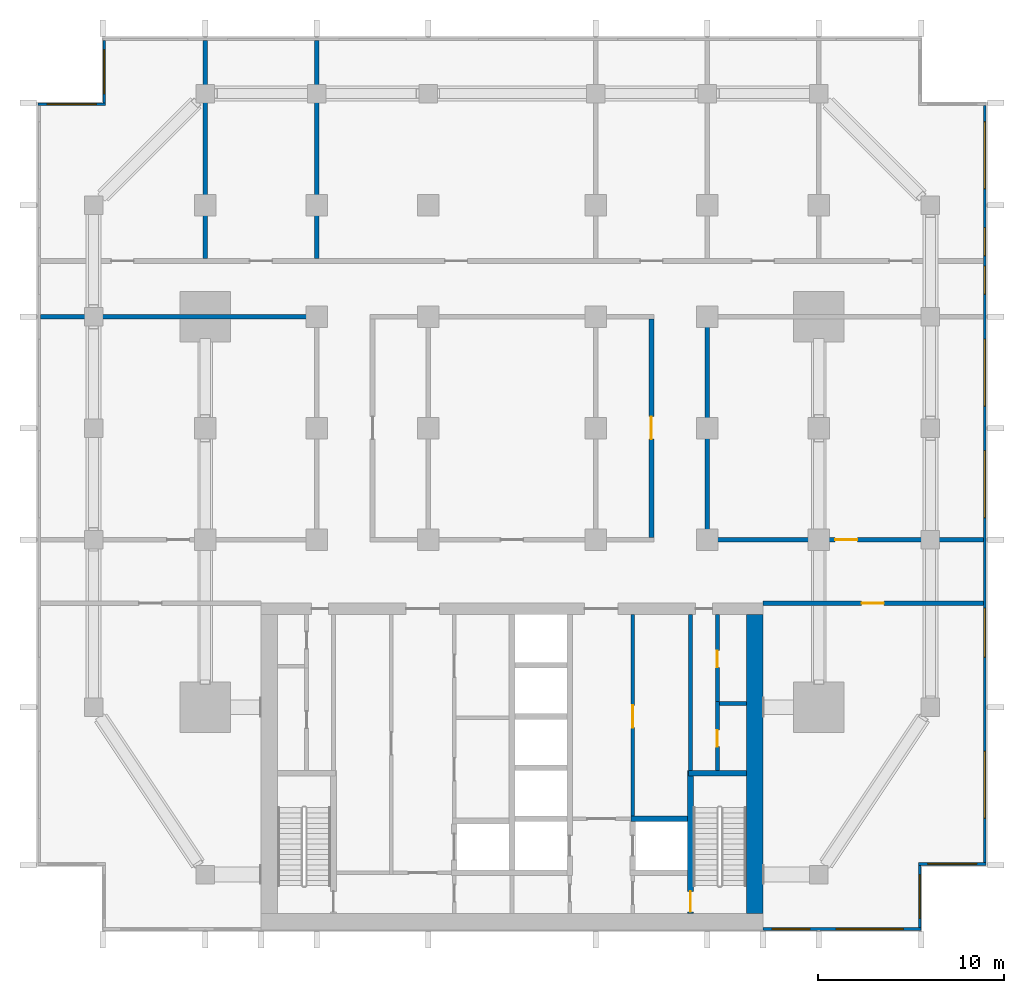
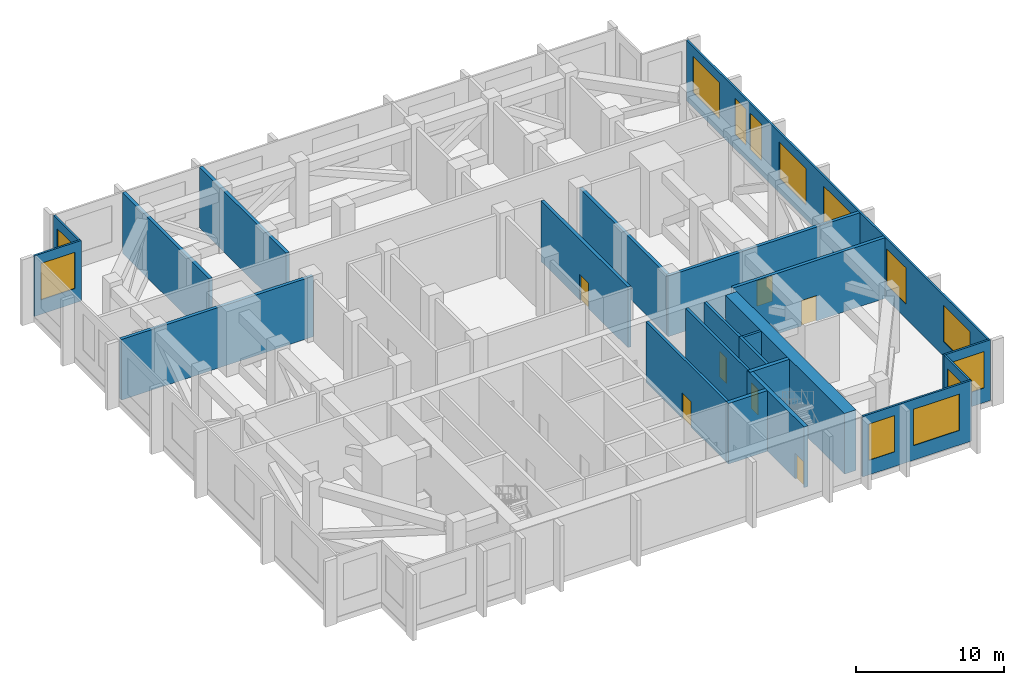
# One storey, part 4 of 12: 22 walls, 13 windows, 7 doors, 20 openings.
"""IFC4 building model written with IfcOpenShell, lengths in metres."""

from ifc_helpers import new_model, si_unit, direction, frame, frame_2d, origin, place, context, subcontext, project, spatial, rectangle, extrude, material, layer, layer_set, type_object, element, fill, save


model = new_model("IFC4")

# Units and contexts
model_context = context("Model", 3, precision=1e-05, world=origin(), true_north=direction((0.0, 1.0)))
body_context = subcontext(model_context, "Body", "Model", "MODEL_VIEW")
ifc_project = project(units=[si_unit("LENGTHUNIT", "METRE"), si_unit("AREAUNIT", "SQUARE_METRE"), si_unit("VOLUMEUNIT", "CUBIC_METRE"), si_unit("PLANEANGLEUNIT", "RADIAN"), si_unit("MASSUNIT", "GRAM", prefix="KILO")], contexts=[model_context])

# Site, building, storey
site_placement = place(None, origin())
site = spatial("IfcSite", under=ifc_project, at=site_placement, CompositionType="ELEMENT")
building_placement = place(site_placement, origin())
building = spatial("IfcBuilding", under=site, at=building_placement, Name="Finial Court Residences", CompositionType="ELEMENT")
storey_placement = place(building_placement, frame((0.0, 0.0, 143.89990234375)))
storey = spatial("IfcBuildingStorey", under=building, at=storey_placement, Name="L35", CompositionType="ELEMENT", Elevation=143.89990234375)

# Walls
ifc_material_1 = material(Name="Concrete C70/85", Category="concrete")
ifc_layer_1 = layer(ifc_material_1, 0.89990234375)
ifc_layer_set_1 = layer_set([ifc_layer_1], Name="Core outer wall 900 Concrete C70/85")
wall_type_1 = type_object("IfcWallType", Name="Core outer wall 900 Concrete C70/85", PredefinedType="SHEAR", material=ifc_layer_set_1)
wall_1_placement = place(storey_placement, frame((13.050048828125, -24.60009765625, 0.0), z_axis=(0.0, 0.0, 1.0), x_axis=(0.0, 1.0, 0.0)))
element("IfcWall", 1, at=wall_1_placement, inside=storey, type_object=wall_type_1, Name="Core outer wall L35-04", PredefinedType="SHEAR", context=body_context, shape_type="SweptSolid", body=[
    extrude(rectangle(XDim=16.10009765625, YDim=0.89990234375, at=frame_2d((8.050048828125, 0.0))), origin(), (0.0, 0.0, 1.0), 5.0),
])
ifc_layer_2 = layer(ifc_material_1, 0.300048828125)
ifc_layer_set_2 = layer_set([ifc_layer_2], Name="Lift shaft and stair wall 300 Concrete C70/85")
wall_type_2 = type_object("IfcWallType", Name="Lift shaft and stair wall 300 Concrete C70/85", PredefinedType="SHEAR", material=ifc_layer_set_2)
wall_2_placement = place(storey_placement, frame((6.39990234375, -19.5, 0.0), z_axis=(0.0, 0.0, 1.0), x_axis=(1.0, 0.0, 0.0)))
element("IfcWall", 2, at=wall_2_placement, inside=storey, type_object=wall_type_2, Name="Core wall L35-08", PredefinedType="SHEAR", context=body_context, shape_type="SweptSolid", body=[
    extrude(rectangle(XDim=3.050048828125, YDim=0.300048828125, at=frame_2d((1.52490234375, 0.0))), origin(), (0.0, 0.0, 1.0), 5.0),
])
wall_3_placement = place(storey_placement, frame((9.5, -17.050048828125, 0.0), z_axis=(0.0, 0.0, 1.0), x_axis=(1.0, 0.0, 0.0)))
element("IfcWall", 3, at=wall_3_placement, inside=storey, type_object=wall_type_2, Name="Core wall L35-10", PredefinedType="SHEAR", context=body_context, shape_type="SweptSolid", body=[
    extrude(rectangle(XDim=3.10009765625, YDim=0.300048828125, at=frame_2d((1.550048828125, 0.0))), origin(), (0.0, 0.0, 1.0), 5.0),
])

# Wall, opening, door
wall_4_placement = place(storey_placement, frame((9.60009765625, -16.89990234375, 0.0), z_axis=(0.0, 0.0, 1.0), x_axis=(0.0, -1.0, 0.0)))
wall_4 = element("IfcWall", 4, at=wall_4_placement, inside=storey, type_object=wall_type_2, Name="Core wall L35-32", PredefinedType="SHEAR", context=body_context, shape_type="SweptSolid", body=[
    extrude(rectangle(XDim=7.7001953125, YDim=0.300048828125, at=frame_2d((3.85009765625, 0.0))), origin(), (0.0, 0.0, 1.0), 5.0),
])
opening_1_placement = place(wall_4_placement, frame((6.5, 0.0, 0.0)))
opening_1 = element("IfcOpeningElement", 5, at=opening_1_placement, cuts=wall_4, Name="Opening L35-C19", PredefinedType="OPENING", context=body_context, shape_type="SweptSolid", body=[
    extrude(rectangle(XDim=1.10009765625, YDim=2.10009765625, at=frame_2d((0.550048828125, 1.050048828125))), frame((0.0, 0.159912109375, 0.0), z_axis=(0.0, -1.0, 0.0), x_axis=(1.0, 0.0, 0.0)), (0.0, 0.0, 1.0), 0.320068359375),
])
ifc_material_2 = material(Name="Steel fire door", Category="steel")
door_type_1 = type_object("IfcDoorType", Name="Stair door 1100 x 2100 EI 90", OperationType="NOTDEFINED", PredefinedType="DOOR", material=ifc_material_2)
door_1_placement = place(opening_1_placement, origin())
door_1 = element("IfcDoor", 6, at=door_1_placement, inside=storey, type_object=door_type_1, Name="Stair door L35-C19", OperationType="SINGLE_SWING_RIGHT", OverallHeight=2.10009765625, OverallWidth=1.10009765625, PredefinedType="DOOR", context=body_context, shape_type="SweptSolid", body=[
    extrude(rectangle(XDim=1.10009765625, YDim=2.10009765625, at=frame_2d((0.550048828125, 1.050048828125))), frame((0.0, 0.02490234375, 0.0), z_axis=(0.0, -1.0, 0.0), x_axis=(1.0, 0.0, 0.0)), (0.0, 0.0, 1.0), 0.050048828125),
])
fill(opening_1, door_1)

ifc_material_3 = material(Name="Fire-rated board")
ifc_layer_3 = layer(ifc_material_3, 0.050048828125)
ifc_material_4 = material(Name="Mineral wool in double frame")
ifc_layer_4 = layer(ifc_material_4, 0.14990234375)
ifc_layer_5 = layer(ifc_material_3, 0.050048828125)
ifc_layer_set_3 = layer_set([ifc_layer_3, ifc_layer_4, ifc_layer_5], Name="Plant room wall 250, 2 hour")
wall_type_3 = type_object("IfcWallType", Name="Plant room wall 250, 2 hour", PredefinedType="PARTITIONING", material=ifc_layer_set_3)
wall_5_placement = place(storey_placement, frame((13.5, -7.89990234375, 0.0), z_axis=(0.0, 0.0, 1.0), x_axis=(1.0, 0.0, 0.0)))
wall_5 = element("IfcWall", 7, at=wall_5_placement, inside=storey, type_object=wall_type_3, Name="Partition L35-001", PredefinedType="PARTITIONING", context=body_context, shape_type="SweptSolid", body=[
    extrude(rectangle(XDim=11.85009765625, YDim=0.25, at=frame_2d((5.925048828125, 0.0))), origin(), (0.0, 0.0, 1.0), 5.0),
])
opening_2_placement = place(wall_5_placement, frame((5.300048828125, 0.0, 0.0)))
opening_2 = element("IfcOpeningElement", 8, at=opening_2_placement, cuts=wall_5, Name="Opening L35-D002", PredefinedType="OPENING", context=body_context, shape_type="SweptSolid", body=[
    extrude(rectangle(XDim=1.199951171875, YDim=2.10009765625, at=frame_2d((0.60009765625, 1.050048828125))), frame((0.0, 0.135009765625, 0.0), z_axis=(0.0, -1.0, 0.0), x_axis=(1.0, 0.0, 0.0)), (0.0, 0.0, 1.0), 0.27001953125),
])
ifc_material_5 = material(Name="Timber door leaf in hollow metal frame", Category="wood")
door_type_2 = type_object("IfcDoorType", Name="Fire door set 1200 x 2100, 60 minutes", OperationType="SINGLE_SWING_LEFT", PredefinedType="DOOR", material=ifc_material_5)
door_2_placement = place(opening_2_placement, origin())
door_2 = element("IfcDoor", 9, at=door_2_placement, inside=storey, type_object=door_type_2, Name="Door L35-D002", OperationType="SINGLE_SWING_RIGHT", OverallHeight=2.10009765625, OverallWidth=1.199951171875, PredefinedType="DOOR", context=body_context, shape_type="SweptSolid", body=[
    extrude(rectangle(XDim=1.199951171875, YDim=2.10009765625, at=frame_2d((0.60009765625, 1.050048828125))), frame((0.0, 0.02490234375, 0.0), z_axis=(0.0, -1.0, 0.0), x_axis=(1.0, 0.0, 0.0)), (0.0, 0.0, 1.0), 0.050048828125),
])
fill(opening_2, door_2)

wall_6_placement = place(storey_placement, frame((10.375, -4.5, 0.0), z_axis=(0.0, 0.0, 1.0), x_axis=(1.0, 0.0, 0.0)))
wall_6 = element("IfcWall", 10, at=wall_6_placement, inside=storey, type_object=wall_type_3, Name="Partition L35-004", PredefinedType="PARTITIONING", context=body_context, shape_type="SweptSolid", body=[
    extrude(rectangle(XDim=14.97509765625, YDim=0.25, at=frame_2d((7.487548828125, 0.0))), origin(), (0.0, 0.0, 1.0), 5.0),
])
opening_3_placement = place(wall_6_placement, frame((7.0, 0.0, 0.0)))
opening_3 = element("IfcOpeningElement", 11, at=opening_3_placement, cuts=wall_6, Name="Opening L35-D005", PredefinedType="OPENING", context=body_context, shape_type="SweptSolid", body=[
    extrude(rectangle(XDim=1.199951171875, YDim=2.10009765625, at=frame_2d((0.60009765625, 1.050048828125))), frame((0.0, 0.135009765625, 0.0), z_axis=(0.0, -1.0, 0.0), x_axis=(1.0, 0.0, 0.0)), (0.0, 0.0, 1.0), 0.27001953125),
])
door_3_placement = place(opening_3_placement, origin())
door_3 = element("IfcDoor", 12, at=door_3_placement, inside=storey, type_object=door_type_2, Name="Door L35-D005", OperationType="SINGLE_SWING_LEFT", OverallHeight=2.10009765625, OverallWidth=1.199951171875, PredefinedType="DOOR", context=body_context, shape_type="SweptSolid", body=[
    extrude(rectangle(XDim=1.199951171875, YDim=2.10009765625, at=frame_2d((0.60009765625, 1.050048828125))), frame((0.0, 0.02490234375, 0.0), z_axis=(0.0, -1.0, 0.0), x_axis=(1.0, 0.0, 0.0)), (0.0, 0.0, 1.0), 0.050048828125),
])
fill(opening_3, door_3)

# Walls
wall_7_placement = place(storey_placement, frame((-25.35009765625, 7.5, 0.0), z_axis=(0.0, 0.0, 1.0), x_axis=(1.0, 0.0, 0.0)))
element("IfcWall", 13, at=wall_7_placement, inside=storey, type_object=wall_type_3, Name="Partition L35-005", PredefinedType="PARTITIONING", context=body_context, shape_type="SweptSolid", body=[
    extrude(rectangle(XDim=14.97509765625, YDim=0.25, at=frame_2d((7.487548828125, 0.0))), origin(), (0.0, 0.0, 1.0), 5.0),
])
for number, where, z_axis, x_axis, name in (
    (14, (-16.5, 10.625, 0.0), (0.0, 0.0, 1.0), (0.0, 1.0, 0.0), "Partition L35-009"),
    (15, (-10.5, 10.625, 0.0), (0.0, 0.0, 1.0), (0.0, 1.0, 0.0), "Partition L35-011"),
):
    element("IfcWall", number, at=place(storey_placement, frame(where, z_axis=z_axis, x_axis=x_axis)), inside=storey, type_object=wall_type_3, Name=name, PredefinedType="PARTITIONING", context=body_context, shape_type="SweptSolid", body=[
        extrude(rectangle(XDim=11.72509765625, YDim=0.25, at=frame_2d((5.862548828125, 0.0))), origin(), (0.0, 0.0, 1.0), 5.0),
    ])

# Wall, opening, door
wall_8_placement = place(storey_placement, frame((7.5, -4.375, 0.0), z_axis=(0.0, 0.0, 1.0), x_axis=(0.0, 1.0, 0.0)))
wall_8 = element("IfcWall", 16, at=wall_8_placement, inside=storey, type_object=wall_type_3, Name="Partition L35-016", PredefinedType="PARTITIONING", context=body_context, shape_type="SweptSolid", body=[
    extrude(rectangle(XDim=11.75, YDim=0.25, at=frame_2d((5.875, 0.0))), origin(), (0.0, 0.0, 1.0), 5.0),
])
opening_4_placement = place(wall_8_placement, frame((5.300048828125, 0.0, 0.0)))
opening_4 = element("IfcOpeningElement", 17, at=opening_4_placement, cuts=wall_8, Name="Opening L35-D013", PredefinedType="OPENING", context=body_context, shape_type="SweptSolid", body=[
    extrude(rectangle(XDim=1.199951171875, YDim=2.10009765625, at=frame_2d((0.60009765625, 1.050048828125))), frame((0.0, 0.135009765625, 0.0), z_axis=(0.0, -1.0, 0.0), x_axis=(1.0, 0.0, 0.0)), (0.0, 0.0, 1.0), 0.27001953125),
])
door_4_placement = place(opening_4_placement, origin())
door_4 = element("IfcDoor", 18, at=door_4_placement, inside=storey, type_object=door_type_2, Name="Door L35-D013", OperationType="SINGLE_SWING_RIGHT", OverallHeight=2.10009765625, OverallWidth=1.199951171875, PredefinedType="DOOR", context=body_context, shape_type="SweptSolid", body=[
    extrude(rectangle(XDim=1.199951171875, YDim=2.10009765625, at=frame_2d((0.60009765625, 1.050048828125))), frame((0.0, 0.02490234375, 0.0), z_axis=(0.0, -1.0, 0.0), x_axis=(1.0, 0.0, 0.0)), (0.0, 0.0, 1.0), 0.050048828125),
])
fill(opening_4, door_4)

# Wall
wall_9_placement = place(storey_placement, frame((10.5, -4.375, 0.0), z_axis=(0.0, 0.0, 1.0), x_axis=(0.0, 1.0, 0.0)))
element("IfcWall", 19, at=wall_9_placement, inside=storey, type_object=wall_type_3, Name="Partition L35-017", PredefinedType="PARTITIONING", context=body_context, shape_type="SweptSolid", body=[
    extrude(rectangle(XDim=11.75, YDim=0.25, at=frame_2d((5.875, 0.0))), origin(), (0.0, 0.0, 1.0), 5.0),
])

# Wall, openings, windows
ifc_material_6 = material(Name="Natural limestone", Category="masonry")
ifc_layer_6 = layer(ifc_material_6, 0.14990234375)
ifc_layer_set_4 = layer_set([ifc_layer_6], Name="Plant storey wall, limestone clad 150")
wall_type_4 = type_object("IfcWallType", Name="Plant storey wall, limestone clad 150", PredefinedType="SOLIDWALL", material=ifc_layer_set_4)
wall_10_placement = place(storey_placement, frame((25.425048828125, 18.85009765625, 0.0), z_axis=(0.0, 0.0, 1.0), x_axis=(0.0, -1.0, 0.0)))
wall_10 = element("IfcWall", 20, at=wall_10_placement, inside=storey, type_object=wall_type_4, Name="E-L35-PWE2", PredefinedType="SOLIDWALL", context=body_context, shape_type="SweptSolid", body=[
    extrude(rectangle(XDim=40.7001953125, YDim=0.14990234375, at=frame_2d((20.35009765625, 0.0))), origin(), (0.0, 0.0, 1.0), 5.0),
])
opening_5_placement = place(wall_10_placement, frame((34.72509765625, 0.0, 1.199951171875)))
opening_5 = element("IfcOpeningElement", 21, at=opening_5_placement, cuts=wall_10, Name="Opening WE35-08", PredefinedType="OPENING", context=body_context, shape_type="SweptSolid", body=[
    extrude(rectangle(XDim=3.60009765625, YDim=3.0, at=frame_2d((1.800048828125, 1.5))), frame((0.0, 0.0849609375, 0.0), z_axis=(0.0, -1.0, 0.0), x_axis=(1.0, 0.0, 0.0)), (0.0, 0.0, 1.0), 0.169921875),
])
opening_6_placement = place(wall_10_placement, frame((27.02490234375, 0.0, 1.199951171875)))
opening_6 = element("IfcOpeningElement", 22, at=opening_6_placement, cuts=wall_10, Name="Opening WE35-09", PredefinedType="OPENING", context=body_context, shape_type="SweptSolid", body=[
    extrude(rectangle(XDim=2.625, YDim=3.0, at=frame_2d((1.3125, 1.5))), frame((0.0, 0.0849609375, 0.0), z_axis=(0.0, -1.0, 0.0), x_axis=(1.0, 0.0, 0.0)), (0.0, 0.0, 1.0), 0.169921875),
])
opening_7_placement = place(wall_10_placement, frame((18.550048828125, 0.0, 1.199951171875)))
opening_7 = element("IfcOpeningElement", 23, at=opening_7_placement, cuts=wall_10, Name="Opening WE35-10", PredefinedType="OPENING", context=body_context, shape_type="SweptSolid", body=[
    extrude(rectangle(XDim=3.60009765625, YDim=3.0, at=frame_2d((1.800048828125, 1.5))), frame((0.0, 0.0849609375, 0.0), z_axis=(0.0, -1.0, 0.0), x_axis=(1.0, 0.0, 0.0)), (0.0, 0.0, 1.0), 0.169921875),
])
opening_8_placement = place(wall_10_placement, frame((12.550048828125, 0.0, 1.199951171875)))
opening_8 = element("IfcOpeningElement", 24, at=opening_8_placement, cuts=wall_10, Name="Opening WE35-11", PredefinedType="OPENING", context=body_context, shape_type="SweptSolid", body=[
    extrude(rectangle(XDim=3.60009765625, YDim=3.0, at=frame_2d((1.800048828125, 1.5))), frame((0.0, 0.0849609375, 0.0), z_axis=(0.0, -1.0, 0.0), x_axis=(1.0, 0.0, 0.0)), (0.0, 0.0, 1.0), 0.169921875),
])
opening_9_placement = place(wall_10_placement, frame((8.625, 0.0, 1.199951171875)))
opening_9 = element("IfcOpeningElement", 25, at=opening_9_placement, cuts=wall_10, Name="Opening WE35-12", PredefinedType="OPENING", context=body_context, shape_type="SweptSolid", body=[
    extrude(rectangle(XDim=1.52490234375, YDim=3.0, at=frame_2d((0.762451171875, 1.5))), frame((0.0, 0.0849609375, 0.0), z_axis=(0.0, -1.0, 0.0), x_axis=(1.0, 0.0, 0.0)), (0.0, 0.0, 1.0), 0.169921875),
])
opening_10_placement = place(wall_10_placement, frame((6.550048828125, 0.0, 1.199951171875)))
opening_10 = element("IfcOpeningElement", 26, at=opening_10_placement, cuts=wall_10, Name="Opening WE35-13", PredefinedType="OPENING", context=body_context, shape_type="SweptSolid", body=[
    extrude(rectangle(XDim=1.52490234375, YDim=3.0, at=frame_2d((0.762451171875, 1.5))), frame((0.0, 0.0849609375, 0.0), z_axis=(0.0, -1.0, 0.0), x_axis=(1.0, 0.0, 0.0)), (0.0, 0.0, 1.0), 0.169921875),
])
opening_11_placement = place(wall_10_placement, frame((0.875, 0.0, 1.199951171875)))
opening_11 = element("IfcOpeningElement", 27, at=opening_11_placement, cuts=wall_10, Name="Opening WE35-14", PredefinedType="OPENING", context=body_context, shape_type="SweptSolid", body=[
    extrude(rectangle(XDim=3.60009765625, YDim=3.0, at=frame_2d((1.800048828125, 1.5))), frame((0.0, 0.0849609375, 0.0), z_axis=(0.0, -1.0, 0.0), x_axis=(1.0, 0.0, 0.0)), (0.0, 0.0, 1.0), 0.169921875),
])
ifc_material_7 = material(Name="Bronze anodised aluminium", Category="aluminium")
window_type_1 = type_object("IfcWindowType", Name="Plant louvre 1525 x 3000", PartitioningType="SINGLE_PANEL", PredefinedType="WINDOW", material=ifc_material_7)
window_1_placement = place(opening_9_placement, origin())
window_1 = element("IfcWindow", 28, at=window_1_placement, inside=storey, type_object=window_type_1, Name="E-L35-PWE2-W5", OverallHeight=3.0, OverallWidth=1.52490234375, PartitioningType="SINGLE_PANEL", PredefinedType="WINDOW", context=body_context, shape_type="SweptSolid", body=[
    extrude(rectangle(XDim=1.52490234375, YDim=3.0, at=frame_2d((0.762451171875, 1.5))), frame((0.0, 0.030029296875, 0.0), z_axis=(0.0, -1.0, 0.0), x_axis=(1.0, 0.0, 0.0)), (0.0, 0.0, 1.0), 0.06005859375),
])
fill(opening_9, window_1)
window_2_placement = place(opening_10_placement, origin())
window_2 = element("IfcWindow", 29, at=window_2_placement, inside=storey, type_object=window_type_1, Name="E-L35-PWE2-W6", OverallHeight=3.0, OverallWidth=1.52490234375, PartitioningType="SINGLE_PANEL", PredefinedType="WINDOW", context=body_context, shape_type="SweptSolid", body=[
    extrude(rectangle(XDim=1.52490234375, YDim=3.0, at=frame_2d((0.762451171875, 1.5))), frame((0.0, 0.030029296875, 0.0), z_axis=(0.0, -1.0, 0.0), x_axis=(1.0, 0.0, 0.0)), (0.0, 0.0, 1.0), 0.06005859375),
])
fill(opening_10, window_2)
window_type_2 = type_object("IfcWindowType", Name="Plant louvre 2625 x 3000", PartitioningType="SINGLE_PANEL", PredefinedType="WINDOW", material=ifc_material_7)
window_3_placement = place(opening_6_placement, origin())
window_3 = element("IfcWindow", 30, at=window_3_placement, inside=storey, type_object=window_type_2, Name="E-L35-PWE2-W2", OverallHeight=3.0, OverallWidth=2.625, PartitioningType="SINGLE_PANEL", PredefinedType="WINDOW", context=body_context, shape_type="SweptSolid", body=[
    extrude(rectangle(XDim=2.625, YDim=3.0, at=frame_2d((1.3125, 1.5))), frame((0.0, 0.030029296875, 0.0), z_axis=(0.0, -1.0, 0.0), x_axis=(1.0, 0.0, 0.0)), (0.0, 0.0, 1.0), 0.06005859375),
])
fill(opening_6, window_3)
window_type_3 = type_object("IfcWindowType", Name="Plant louvre 3600 x 3000", PartitioningType="SINGLE_PANEL", PredefinedType="WINDOW", material=ifc_material_7)
window_4_placement = place(opening_5_placement, origin())
window_4 = element("IfcWindow", 31, at=window_4_placement, inside=storey, type_object=window_type_3, Name="E-L35-PWE2-W1", OverallHeight=3.0, OverallWidth=3.60009765625, PartitioningType="SINGLE_PANEL", PredefinedType="WINDOW", context=body_context, shape_type="SweptSolid", body=[
    extrude(rectangle(XDim=3.60009765625, YDim=3.0, at=frame_2d((1.800048828125, 1.5))), frame((0.0, 0.030029296875, 0.0), z_axis=(0.0, -1.0, 0.0), x_axis=(1.0, 0.0, 0.0)), (0.0, 0.0, 1.0), 0.06005859375),
])
fill(opening_5, window_4)
window_5_placement = place(opening_7_placement, origin())
window_5 = element("IfcWindow", 32, at=window_5_placement, inside=storey, type_object=window_type_3, Name="E-L35-PWE2-W3", OverallHeight=3.0, OverallWidth=3.60009765625, PartitioningType="SINGLE_PANEL", PredefinedType="WINDOW", context=body_context, shape_type="SweptSolid", body=[
    extrude(rectangle(XDim=3.60009765625, YDim=3.0, at=frame_2d((1.800048828125, 1.5))), frame((0.0, 0.030029296875, 0.0), z_axis=(0.0, -1.0, 0.0), x_axis=(1.0, 0.0, 0.0)), (0.0, 0.0, 1.0), 0.06005859375),
])
fill(opening_7, window_5)
window_6_placement = place(opening_8_placement, origin())
window_6 = element("IfcWindow", 33, at=window_6_placement, inside=storey, type_object=window_type_3, Name="E-L35-PWE2-W4", OverallHeight=3.0, OverallWidth=3.60009765625, PartitioningType="SINGLE_PANEL", PredefinedType="WINDOW", context=body_context, shape_type="SweptSolid", body=[
    extrude(rectangle(XDim=3.60009765625, YDim=3.0, at=frame_2d((1.800048828125, 1.5))), frame((0.0, 0.030029296875, 0.0), z_axis=(0.0, -1.0, 0.0), x_axis=(1.0, 0.0, 0.0)), (0.0, 0.0, 1.0), 0.06005859375),
])
fill(opening_8, window_6)
window_7_placement = place(opening_11_placement, origin())
window_7 = element("IfcWindow", 34, at=window_7_placement, inside=storey, type_object=window_type_3, Name="E-L35-PWE2-W7", OverallHeight=3.0, OverallWidth=3.60009765625, PartitioningType="SINGLE_PANEL", PredefinedType="WINDOW", context=body_context, shape_type="SweptSolid", body=[
    extrude(rectangle(XDim=3.60009765625, YDim=3.0, at=frame_2d((1.800048828125, 1.5))), frame((0.0, 0.030029296875, 0.0), z_axis=(0.0, -1.0, 0.0), x_axis=(1.0, 0.0, 0.0)), (0.0, 0.0, 1.0), 0.06005859375),
])
fill(opening_11, window_7)

wall_11_placement = place(storey_placement, frame((22.0, -25.425048828125, 0.0), z_axis=(0.0, 0.0, 1.0), x_axis=(-1.0, 0.0, 0.0)))
wall_11 = element("IfcWall", 35, at=wall_11_placement, inside=storey, type_object=wall_type_4, Name="E-L35-PWS4", PredefinedType="SOLIDWALL", context=body_context, shape_type="SweptSolid", body=[
    extrude(rectangle(XDim=8.5, YDim=0.14990234375, at=frame_2d((4.25, 0.0))), origin(), (0.0, 0.0, 1.0), 5.0),
])
opening_12_placement = place(wall_11_placement, frame((6.0, 0.0, 1.199951171875)))
opening_12 = element("IfcOpeningElement", 36, at=opening_12_placement, cuts=wall_11, Name="Opening WE35-17", PredefinedType="OPENING", context=body_context, shape_type="SweptSolid", body=[
    extrude(rectangle(XDim=2.0, YDim=3.0, at=frame_2d((1.0, 1.5))), frame((0.0, 0.0849609375, 0.0), z_axis=(0.0, -1.0, 0.0), x_axis=(1.0, 0.0, 0.0)), (0.0, 0.0, 1.0), 0.169921875),
])
opening_13_placement = place(wall_11_placement, frame((0.949951171875, 0.0, 1.199951171875)))
opening_13 = element("IfcOpeningElement", 37, at=opening_13_placement, cuts=wall_11, Name="Opening WE35-18", PredefinedType="OPENING", context=body_context, shape_type="SweptSolid", body=[
    extrude(rectangle(XDim=3.60009765625, YDim=3.0, at=frame_2d((1.800048828125, 1.5))), frame((0.0, 0.0849609375, 0.0), z_axis=(0.0, -1.0, 0.0), x_axis=(1.0, 0.0, 0.0)), (0.0, 0.0, 1.0), 0.169921875),
])
window_type_4 = type_object("IfcWindowType", Name="Plant louvre 2000 x 3000", PartitioningType="SINGLE_PANEL", PredefinedType="WINDOW", material=ifc_material_7)
window_8_placement = place(opening_12_placement, origin())
window_8 = element("IfcWindow", 38, at=window_8_placement, inside=storey, type_object=window_type_4, Name="E-L35-PWS4-W1", OverallHeight=3.0, OverallWidth=2.0, PartitioningType="SINGLE_PANEL", PredefinedType="WINDOW", context=body_context, shape_type="SweptSolid", body=[
    extrude(rectangle(XDim=2.0, YDim=3.0, at=frame_2d((1.0, 1.5))), frame((0.0, 0.030029296875, 0.0), z_axis=(0.0, -1.0, 0.0), x_axis=(1.0, 0.0, 0.0)), (0.0, 0.0, 1.0), 0.06005859375),
])
fill(opening_12, window_8)
window_9_placement = place(opening_13_placement, origin())
window_9 = element("IfcWindow", 39, at=window_9_placement, inside=storey, type_object=window_type_3, Name="E-L35-PWS4-W2", OverallHeight=3.0, OverallWidth=3.60009765625, PartitioningType="SINGLE_PANEL", PredefinedType="WINDOW", context=body_context, shape_type="SweptSolid", body=[
    extrude(rectangle(XDim=3.60009765625, YDim=3.0, at=frame_2d((1.800048828125, 1.5))), frame((0.0, 0.030029296875, 0.0), z_axis=(0.0, -1.0, 0.0), x_axis=(1.0, 0.0, 0.0)), (0.0, 0.0, 1.0), 0.06005859375),
])
fill(opening_13, window_9)

# Wall, opening, window
wall_12_placement = place(storey_placement, frame((21.925048828125, -22.0, 0.0), z_axis=(0.0, 0.0, 1.0), x_axis=(0.0, -1.0, 0.0)))
wall_12 = element("IfcWall", 40, at=wall_12_placement, inside=storey, type_object=wall_type_4, Name="E-L35-PWE8", PredefinedType="SOLIDWALL", context=body_context, shape_type="SweptSolid", body=[
    extrude(rectangle(XDim=3.35009765625, YDim=0.14990234375, at=frame_2d((1.675048828125, 0.0))), origin(), (0.0, 0.0, 1.0), 5.0),
])
opening_14_placement = place(wall_12_placement, frame((0.5, 0.0, 1.199951171875)))
opening_14 = element("IfcOpeningElement", 41, at=opening_14_placement, cuts=wall_12, Name="Opening WE35-28", PredefinedType="OPENING", context=body_context, shape_type="SweptSolid", body=[
    extrude(rectangle(XDim=2.35009765625, YDim=3.0, at=frame_2d((1.175048828125, 1.5))), frame((0.0, 0.0849609375, 0.0), z_axis=(0.0, -1.0, 0.0), x_axis=(1.0, 0.0, 0.0)), (0.0, 0.0, 1.0), 0.169921875),
])
window_type_5 = type_object("IfcWindowType", Name="Plant louvre 2350 x 3000", PartitioningType="SINGLE_PANEL", PredefinedType="WINDOW", material=ifc_material_7)
window_10_placement = place(opening_14_placement, origin())
window_10 = element("IfcWindow", 42, at=window_10_placement, inside=storey, type_object=window_type_5, Name="E-L35-PWE8-W1", OverallHeight=3.0, OverallWidth=2.35009765625, PartitioningType="SINGLE_PANEL", PredefinedType="WINDOW", context=body_context, shape_type="SweptSolid", body=[
    extrude(rectangle(XDim=2.35009765625, YDim=3.0, at=frame_2d((1.175048828125, 1.5))), frame((0.0, 0.030029296875, 0.0), z_axis=(0.0, -1.0, 0.0), x_axis=(1.0, 0.0, 0.0)), (0.0, 0.0, 1.0), 0.06005859375),
])
fill(opening_14, window_10)

wall_13_placement = place(storey_placement, frame((25.5, -21.925048828125, 0.0), z_axis=(0.0, 0.0, 1.0), x_axis=(-1.0, 0.0, 0.0)))
wall_13 = element("IfcWall", 43, at=wall_13_placement, inside=storey, type_object=wall_type_4, Name="E-L35-PWS9", PredefinedType="SOLIDWALL", context=body_context, shape_type="SweptSolid", body=[
    extrude(rectangle(XDim=3.64990234375, YDim=0.14990234375, at=frame_2d((1.824951171875, 0.0))), origin(), (0.0, 0.0, 1.0), 5.0),
])
opening_15_placement = place(wall_13_placement, frame((0.5, 0.0, 1.199951171875)))
opening_15 = element("IfcOpeningElement", 44, at=opening_15_placement, cuts=wall_13, Name="Opening WE35-29", PredefinedType="OPENING", context=body_context, shape_type="SweptSolid", body=[
    extrude(rectangle(XDim=2.64990234375, YDim=3.0, at=frame_2d((1.324951171875, 1.5))), frame((0.0, 0.0849609375, 0.0), z_axis=(0.0, -1.0, 0.0), x_axis=(1.0, 0.0, 0.0)), (0.0, 0.0, 1.0), 0.169921875),
])
window_type_6 = type_object("IfcWindowType", Name="Plant louvre 2650 x 3000", PartitioningType="SINGLE_PANEL", PredefinedType="WINDOW", material=ifc_material_7)
window_11_placement = place(opening_15_placement, origin())
window_11 = element("IfcWindow", 45, at=window_11_placement, inside=storey, type_object=window_type_6, Name="E-L35-PWS9-W1", OverallHeight=3.0, OverallWidth=2.64990234375, PartitioningType="SINGLE_PANEL", PredefinedType="WINDOW", context=body_context, shape_type="SweptSolid", body=[
    extrude(rectangle(XDim=2.64990234375, YDim=3.0, at=frame_2d((1.324951171875, 1.5))), frame((0.0, 0.030029296875, 0.0), z_axis=(0.0, -1.0, 0.0), x_axis=(1.0, 0.0, 0.0)), (0.0, 0.0, 1.0), 0.06005859375),
])
fill(opening_15, window_11)

wall_14_placement = place(storey_placement, frame((-21.925048828125, 19.0, 0.0), z_axis=(0.0, 0.0, 1.0), x_axis=(0.0, 1.0, 0.0)))
wall_14 = element("IfcWall", 46, at=wall_14_placement, inside=storey, type_object=wall_type_4, Name="E-L35-PWW10", PredefinedType="SOLIDWALL", context=body_context, shape_type="SweptSolid", body=[
    extrude(rectangle(XDim=3.35009765625, YDim=0.14990234375, at=frame_2d((1.675048828125, 0.0))), origin(), (0.0, 0.0, 1.0), 5.0),
])
opening_16_placement = place(wall_14_placement, frame((0.5, 0.0, 1.199951171875)))
opening_16 = element("IfcOpeningElement", 47, at=opening_16_placement, cuts=wall_14, Name="Opening WE35-30", PredefinedType="OPENING", context=body_context, shape_type="SweptSolid", body=[
    extrude(rectangle(XDim=2.35009765625, YDim=3.0, at=frame_2d((1.175048828125, 1.5))), frame((0.0, 0.0849609375, 0.0), z_axis=(0.0, -1.0, 0.0), x_axis=(1.0, 0.0, 0.0)), (0.0, 0.0, 1.0), 0.169921875),
])
window_12_placement = place(opening_16_placement, origin())
window_12 = element("IfcWindow", 48, at=window_12_placement, inside=storey, type_object=window_type_5, Name="E-L35-PWW10-W1", OverallHeight=3.0, OverallWidth=2.35009765625, PartitioningType="SINGLE_PANEL", PredefinedType="WINDOW", context=body_context, shape_type="SweptSolid", body=[
    extrude(rectangle(XDim=2.35009765625, YDim=3.0, at=frame_2d((1.175048828125, 1.5))), frame((0.0, 0.030029296875, 0.0), z_axis=(0.0, -1.0, 0.0), x_axis=(1.0, 0.0, 0.0)), (0.0, 0.0, 1.0), 0.06005859375),
])
fill(opening_16, window_12)

wall_15_placement = place(storey_placement, frame((-25.5, 18.925048828125, 0.0), z_axis=(0.0, 0.0, 1.0), x_axis=(1.0, 0.0, 0.0)))
wall_15 = element("IfcWall", 49, at=wall_15_placement, inside=storey, type_object=wall_type_4, Name="E-L35-PWN11", PredefinedType="SOLIDWALL", context=body_context, shape_type="SweptSolid", body=[
    extrude(rectangle(XDim=3.64990234375, YDim=0.14990234375, at=frame_2d((1.824951171875, 0.0))), origin(), (0.0, 0.0, 1.0), 5.0),
])
opening_17_placement = place(wall_15_placement, frame((0.5, 0.0, 1.199951171875)))
opening_17 = element("IfcOpeningElement", 50, at=opening_17_placement, cuts=wall_15, Name="Opening WE35-31", PredefinedType="OPENING", context=body_context, shape_type="SweptSolid", body=[
    extrude(rectangle(XDim=2.64990234375, YDim=3.0, at=frame_2d((1.324951171875, 1.5))), frame((0.0, 0.0849609375, 0.0), z_axis=(0.0, -1.0, 0.0), x_axis=(1.0, 0.0, 0.0)), (0.0, 0.0, 1.0), 0.169921875),
])
window_13_placement = place(opening_17_placement, origin())
window_13 = element("IfcWindow", 51, at=window_13_placement, inside=storey, type_object=window_type_6, Name="E-L35-PWN11-W1", OverallHeight=3.0, OverallWidth=2.64990234375, PartitioningType="SINGLE_PANEL", PredefinedType="WINDOW", context=body_context, shape_type="SweptSolid", body=[
    extrude(rectangle(XDim=2.64990234375, YDim=3.0, at=frame_2d((1.324951171875, 1.5))), frame((0.0, 0.030029296875, 0.0), z_axis=(0.0, -1.0, 0.0), x_axis=(1.0, 0.0, 0.0)), (0.0, 0.0, 1.0), 0.06005859375),
])
fill(opening_17, window_13)

# Wall, opening, door
ifc_material_8 = material(Name="Fire-rated gypsum board partition")
ifc_layer_7 = layer(ifc_material_8, 0.199951171875)
ifc_layer_set_5 = layer_set([ifc_layer_7], Name="Refuge area wall 200 EI 120")
wall_type_5 = type_object("IfcWallType", Name="Refuge area wall 200 EI 120", PredefinedType="PARTITIONING", material=ifc_layer_set_5)
wall_16_placement = place(storey_placement, frame((6.5, -8.5, 0.0), z_axis=(0.0, 0.0, 1.0), x_axis=(0.0, -1.0, 0.0)))
wall_16 = element("IfcWall", 52, at=wall_16_placement, inside=storey, type_object=wall_type_5, Name="Core partition L35-31", PredefinedType="PARTITIONING", context=body_context, shape_type="SweptSolid", body=[
    extrude(rectangle(XDim=10.85009765625, YDim=0.199951171875, at=frame_2d((5.425048828125, 0.0))), origin(), (0.0, 0.0, 1.0), 5.0),
])
opening_18_placement = place(wall_16_placement, frame((4.89990234375, 0.0, 0.0)))
opening_18 = element("IfcOpeningElement", 53, at=opening_18_placement, cuts=wall_16, Name="Opening L35-C11", PredefinedType="OPENING", context=body_context, shape_type="SweptSolid", body=[
    extrude(rectangle(XDim=1.199951171875, YDim=2.10009765625, at=frame_2d((0.60009765625, 1.050048828125))), frame((0.0, 0.10986328125, 0.0), z_axis=(0.0, -1.0, 0.0), x_axis=(1.0, 0.0, 0.0)), (0.0, 0.0, 1.0), 0.219970703125),
])
door_type_3 = type_object("IfcDoorType", Name="Riser room door 1200 x 2100 EI 90", OperationType="NOTDEFINED", PredefinedType="DOOR", material=ifc_material_2)
door_5_placement = place(opening_18_placement, origin())
door_5 = element("IfcDoor", 54, at=door_5_placement, inside=storey, type_object=door_type_3, Name="Riser room door L35-C11", OperationType="SINGLE_SWING_RIGHT", OverallHeight=2.10009765625, OverallWidth=1.199951171875, PredefinedType="DOOR", context=body_context, shape_type="SweptSolid", body=[
    extrude(rectangle(XDim=1.199951171875, YDim=2.10009765625, at=frame_2d((0.60009765625, 1.050048828125))), frame((0.0, 0.02490234375, 0.0), z_axis=(0.0, -1.0, 0.0), x_axis=(1.0, 0.0, 0.0)), (0.0, 0.0, 1.0), 0.050048828125),
])
fill(opening_18, door_5)

# Walls
ifc_layer_8 = layer(ifc_material_8, 0.199951171875)
ifc_layer_set_6 = layer_set([ifc_layer_8], Name="Riser room wall 200 EI 120")
wall_type_6 = type_object("IfcWallType", Name="Riser room wall 200 EI 120", PredefinedType="PARTITIONING", material=ifc_layer_set_6)
wall_17_placement = place(storey_placement, frame((11.14990234375, -13.300048828125, 0.0), z_axis=(0.0, 0.0, 1.0), x_axis=(1.0, 0.0, 0.0)))
element("IfcWall", 55, at=wall_17_placement, inside=storey, type_object=wall_type_6, Name="Core partition L35-14", PredefinedType="PARTITIONING", context=body_context, shape_type="SweptSolid", body=[
    extrude(rectangle(XDim=1.4501953125, YDim=0.199951171875, at=frame_2d((0.72509765625, 0.0))), origin(), (0.0, 0.0, 1.0), 5.0),
])
wall_18_placement = place(storey_placement, frame((9.60009765625, -16.89990234375, 0.0), z_axis=(0.0, 0.0, 1.0), x_axis=(0.0, 1.0, 0.0)))
element("IfcWall", 56, at=wall_18_placement, inside=storey, type_object=wall_type_6, Name="Core partition L35-33", PredefinedType="PARTITIONING", context=body_context, shape_type="SweptSolid", body=[
    extrude(rectangle(XDim=8.39990234375, YDim=0.199951171875, at=frame_2d((4.199951171875, 0.0))), origin(), (0.0, 0.0, 1.0), 5.0),
])

# Wall, opening, door
wall_19_placement = place(storey_placement, frame((11.050048828125, -8.5, 0.0), z_axis=(0.0, 0.0, 1.0), x_axis=(0.0, -1.0, 0.0)))
wall_19 = element("IfcWall", 57, at=wall_19_placement, inside=storey, type_object=wall_type_6, Name="Core partition L35-35", PredefinedType="PARTITIONING", context=body_context, shape_type="SweptSolid", body=[
    extrude(rectangle(XDim=4.89990234375, YDim=0.199951171875, at=frame_2d((2.449951171875, 0.0))), origin(), (0.0, 0.0, 1.0), 5.0),
])
opening_19_placement = place(wall_19_placement, frame((1.949951171875, 0.0, 0.0)))
opening_19 = element("IfcOpeningElement", 58, at=opening_19_placement, cuts=wall_19, Name="Opening L35-C07", PredefinedType="OPENING", context=body_context, shape_type="SweptSolid", body=[
    extrude(rectangle(XDim=0.89990234375, YDim=2.10009765625, at=frame_2d((0.449951171875, 1.050048828125))), frame((0.0, 0.10986328125, 0.0), z_axis=(0.0, -1.0, 0.0), x_axis=(1.0, 0.0, 0.0)), (0.0, 0.0, 1.0), 0.219970703125),
])
door_type_4 = type_object("IfcDoorType", Name="Riser room door 900 x 2100 EI 90", OperationType="NOTDEFINED", PredefinedType="DOOR", material=ifc_material_2)
door_6_placement = place(opening_19_placement, origin())
door_6 = element("IfcDoor", 59, at=door_6_placement, inside=storey, type_object=door_type_4, Name="Riser room door L35-C07", OperationType="SINGLE_SWING_RIGHT", OverallHeight=2.10009765625, OverallWidth=0.89990234375, PredefinedType="DOOR", context=body_context, shape_type="SweptSolid", body=[
    extrude(rectangle(XDim=0.89990234375, YDim=2.10009765625, at=frame_2d((0.449951171875, 1.050048828125))), frame((0.0, 0.02490234375, 0.0), z_axis=(0.0, -1.0, 0.0), x_axis=(1.0, 0.0, 0.0)), (0.0, 0.0, 1.0), 0.050048828125),
])
fill(opening_19, door_6)

ifc_layer_9 = layer(ifc_material_8, 0.199951171875)
ifc_layer_set_7 = layer_set([ifc_layer_9], Name="Stair passage wall 200 EI 180")
wall_type_7 = type_object("IfcWallType", Name="Stair passage wall 200 EI 180", PredefinedType="PARTITIONING", material=ifc_layer_set_7)
wall_20_placement = place(storey_placement, frame((11.050048828125, -13.199951171875, 0.0), z_axis=(0.0, 0.0, 1.0), x_axis=(0.0, -1.0, 0.0)))
wall_20 = element("IfcWall", 60, at=wall_20_placement, inside=storey, type_object=wall_type_7, Name="Core partition L35-34", PredefinedType="PARTITIONING", context=body_context, shape_type="SweptSolid", body=[
    extrude(rectangle(XDim=3.699951171875, YDim=0.199951171875, at=frame_2d((1.85009765625, 0.0))), origin(), (0.0, 0.0, 1.0), 5.0),
])
opening_20_placement = place(wall_20_placement, frame((1.52490234375, 0.0, 0.0)))
opening_20 = element("IfcOpeningElement", 61, at=opening_20_placement, cuts=wall_20, Name="Opening L35-C17", PredefinedType="OPENING", context=body_context, shape_type="SweptSolid", body=[
    extrude(rectangle(XDim=0.89990234375, YDim=2.10009765625, at=frame_2d((0.449951171875, 1.050048828125))), frame((0.0, 0.10986328125, 0.0), z_axis=(0.0, -1.0, 0.0), x_axis=(1.0, 0.0, 0.0)), (0.0, 0.0, 1.0), 0.219970703125),
])
door_type_5 = type_object("IfcDoorType", Name="Core room door 900 x 2100 EI 60", OperationType="NOTDEFINED", PredefinedType="DOOR", material=ifc_material_2)
door_7_placement = place(opening_20_placement, origin())
door_7 = element("IfcDoor", 62, at=door_7_placement, inside=storey, type_object=door_type_5, Name="Core room door L35-C17", OperationType="SINGLE_SWING_RIGHT", OverallHeight=2.10009765625, OverallWidth=0.89990234375, PredefinedType="DOOR", context=body_context, shape_type="SweptSolid", body=[
    extrude(rectangle(XDim=0.89990234375, YDim=2.10009765625, at=frame_2d((0.449951171875, 1.050048828125))), frame((0.0, 0.02490234375, 0.0), z_axis=(0.0, -1.0, 0.0), x_axis=(1.0, 0.0, 0.0)), (0.0, 0.0, 1.0), 0.050048828125),
])
fill(opening_20, door_7)

save(model, "model.ifc")
